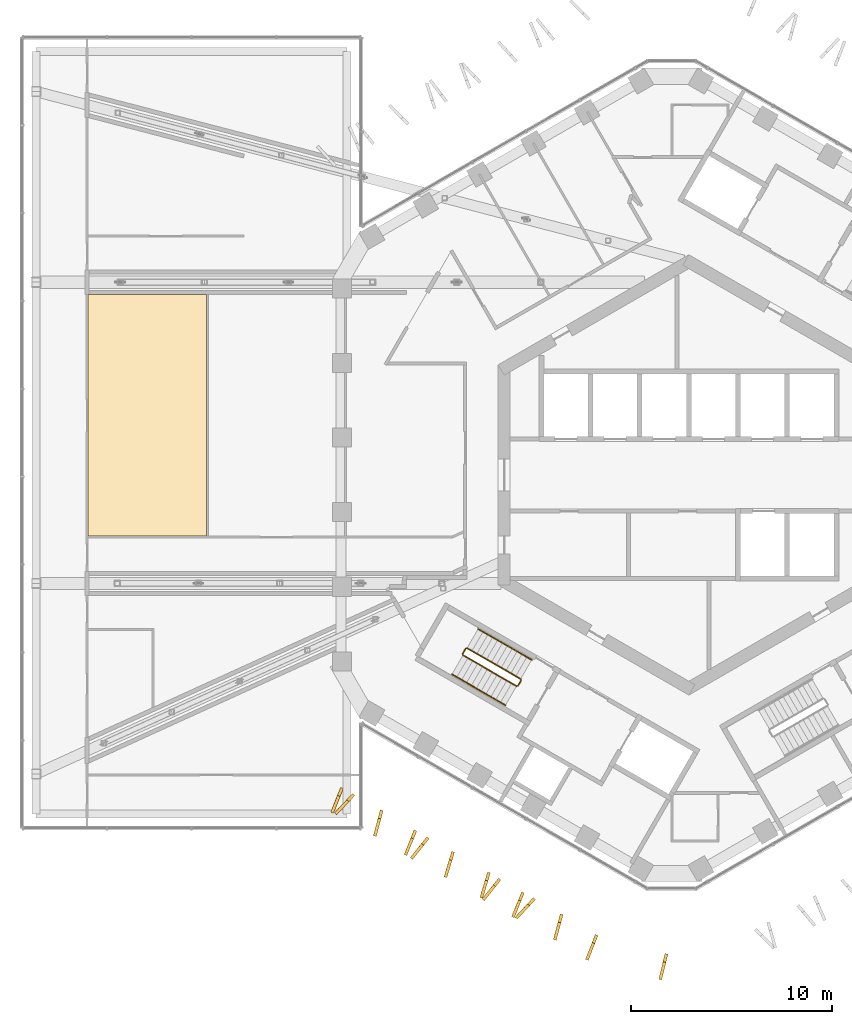
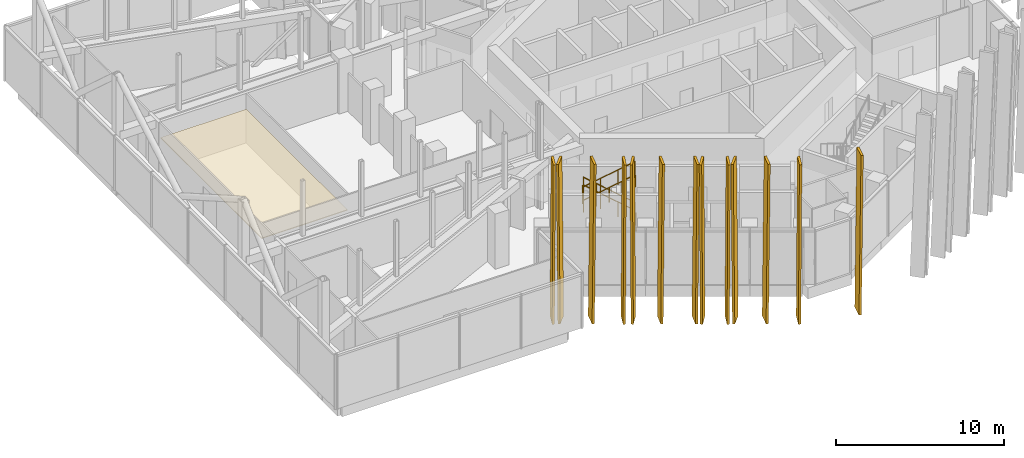
# One storey, part 25 of 28: 13 shading devices, 8 railings, 1 covering.
"""IFC4 building model written with IfcOpenShell, lengths in metres."""

from ifc_helpers import new_model, si_unit, direction, frame, origin, origin_2d, place, context, subcontext, project, spatial, polyline, circle, outline, extrude, material, layer, layer_set, type_object, element, save


model = new_model("IFC4")

# Units and contexts
model_context = context("Model", 3, precision=1e-05, world=origin(), true_north=direction((0.0, 1.0)))
body_context = subcontext(model_context, "Body", "Model", "MODEL_VIEW")
ifc_project = project(units=[si_unit("LENGTHUNIT", "METRE"), si_unit("AREAUNIT", "SQUARE_METRE"), si_unit("VOLUMEUNIT", "CUBIC_METRE"), si_unit("PLANEANGLEUNIT", "RADIAN"), si_unit("MASSUNIT", "GRAM", prefix="KILO")], contexts=[model_context])

# Site, building, storey
site_placement = place(None, origin())
site = spatial("IfcSite", under=ifc_project, at=site_placement, CompositionType="ELEMENT")
building_placement = place(site_placement, origin())
building = spatial("IfcBuilding", under=site, at=building_placement, Name="Ayvan Gate Tower", CompositionType="ELEMENT")
storey_placement = place(building_placement, frame((0.0, 0.0, 202.10009765625)))
storey = spatial("IfcBuildingStorey", under=building, at=storey_placement, Name="L54", CompositionType="ELEMENT", Elevation=202.10009765625)

# Shading devices
ifc_material_1 = material(Name="Bronze anodised aluminium", Category="aluminium")
ifc_layer_1 = layer(ifc_material_1, 0.14990234375)
ifc_layer_set_1 = layer_set([ifc_layer_1], Name="Bronze anodised aluminium")
shading_device_type = type_object("IfcShadingDeviceType", Name="Bronze fin 900 x 150", PredefinedType="USERDEFINED", material=ifc_layer_set_1)
shading_device_1_placement = place(storey_placement, frame((-17.355224609375, -15.56982421875, 0.0), z_axis=(-0.929399886571, 0.369074298214, 0.000115067544), x_axis=(-0.369074300658, -0.929399892723, -1.4505e-08)))
element("IfcShadingDevice", 1, at=shading_device_1_placement, inside=storey, type_object=shading_device_type, Name="Bronze fin FG20.1.1", ObjectType="FIN", PredefinedType="USERDEFINED", context=body_context, shape_type="SweptSolid", body=[
    extrude(outline(polyline([(0.0, 0.0), (0.900008338785415, 0.0), (1.3244467117905945, 11.87988291035919), (0.42452847903561364, 11.87988288425118), (0.0, 0.0)])), origin(), (0.0, 0.0, -1.0), 0.14990234375),
])
shading_device_2_placement = place(storey_placement, frame((-16.74951171875, -15.8671875, 0.0), z_axis=(-0.728080518436, 0.685491605845, 0.000130348624), x_axis=(-0.685491611668, -0.728080524621, 0.0)))
element("IfcShadingDevice", 2, at=shading_device_2_placement, inside=storey, type_object=shading_device_type, Name="Bronze fin FG20.1.2", ObjectType="FIN", PredefinedType="USERDEFINED", context=body_context, shape_type="SweptSolid", body=[
    extrude(outline(polyline([(0.0, 0.0), (0.9000013258712327, 6.776263578034403e-21), (1.3244009375213666, 11.879882913424144), (0.4243996116501338, 11.879882913424144), (0.0, 0.0)])), origin(), (0.0, 0.0, -1.0), 0.14990234375),
])
shading_device_3_placement = place(storey_placement, frame((-15.377685546875, -16.6923828125, 0.0), z_axis=(-0.965937147614, 0.258776759007, 0.000125927627), x_axis=(-0.258776761059, -0.965937155273, 0.0)))
element("IfcShadingDevice", 3, at=shading_device_3_placement, inside=storey, type_object=shading_device_type, Name="Bronze fin FG20.1.3", ObjectType="FIN", PredefinedType="USERDEFINED", context=body_context, shape_type="SweptSolid", body=[
    extrude(outline(polyline([(0.0, 0.0), (0.9000427831971298, 0.0), (1.3245147656002474, 11.879882906694212), (0.42447198240311745, 11.879882906694212), (0.0, 0.0)])), origin(), (0.0, 0.0, -1.0), 0.14990234375),
])
shading_device_4_placement = place(storey_placement, frame((-13.69482421875, -17.683837890625, 0.0), z_axis=(-0.926953543209, 0.375176104846, 0.000138147232), x_axis=(-0.375176108426, -0.926953552054, 0.0)))
element("IfcShadingDevice", 4, at=shading_device_4_placement, inside=storey, type_object=shading_device_type, Name="Bronze fin FG20.1.5", ObjectType="FIN", PredefinedType="USERDEFINED", context=body_context, shape_type="SweptSolid", body=[
    extrude(outline(polyline([(0.0, 0.0), (0.89996797981522, -6.776263578034403e-21), (1.3243983506792445, 11.879882925861748), (0.4244303708640246, 11.879882925861748), (0.0, 0.0)])), origin(), (0.0, 0.0, -1.0), 0.14990234375),
])
shading_device_5_placement = place(storey_placement, frame((-13.056640625, -18.026123046875, 0.0), z_axis=(-0.783060332035, 0.621945736528, 0.000131175773), x_axis=(-0.621945741879, -0.783060338772, 0.0)))
element("IfcShadingDevice", 5, at=shading_device_5_placement, inside=storey, type_object=shading_device_type, Name="Bronze fin FG20.1.6", ObjectType="FIN", PredefinedType="USERDEFINED", context=body_context, shape_type="SweptSolid", body=[
    extrude(outline(polyline([(0.0, 0.0), (0.9001017539465084, -6.776263578034403e-21), (1.3244403722781326, 11.879882914709068), (0.42433861833162423, 11.879882914709068), (0.0, 0.0)])), origin(), (0.0, 0.0, -1.0), 0.14990234375),
])
shading_device_6_placement = place(storey_placement, frame((-11.81884765625, -18.75390625, 0.0), z_axis=(-0.957317081545, 0.289039770583, 0.000128079055), x_axis=(-0.289039772951, -0.957317089397, 1.6631e-08)))
element("IfcShadingDevice", 6, at=shading_device_6_placement, inside=storey, type_object=shading_device_type, Name="Bronze fin FG20.1.7", ObjectType="FIN", PredefinedType="USERDEFINED", context=body_context, shape_type="SweptSolid", body=[
    extrude(outline(polyline([(0.0, 0.0), (0.8999510172549974, 0.0), (1.3244001987417762, 11.87988288791381), (0.42437861513596065, 11.87988291784962), (0.0, 0.0)])), origin(), (0.0, 0.0, -1.0), 0.14990234375),
])
shading_device_7_placement = place(storey_placement, frame((-10.032958984375, -19.784912109375, 0.0), z_axis=(-0.957279544793, 0.289164067653, 0.000122881277), x_axis=(-0.289164069837, -0.95727955202, 0.0)))
element("IfcShadingDevice", 7, at=shading_device_7_placement, inside=storey, type_object=shading_device_type, Name="Bronze fin FG20.1.9", ObjectType="FIN", PredefinedType="USERDEFINED", context=body_context, shape_type="SweptSolid", body=[
    extrude(outline(polyline([(0.0, 0.0), (0.9000215911924444, 6.776263578034403e-21), (1.3244703891353258, 11.87988290219198), (0.4244487979428815, 11.87988290219198), (0.0, 0.0)])), origin(), (0.0, 0.0, -1.0), 0.14990234375),
])
shading_device_8_placement = place(storey_placement, frame((-9.485107421875, -20.088134765625, 0.0), z_axis=(-0.783060332035, 0.621945736528, 0.000131175773), x_axis=(-0.621945741879, -0.783060338772, 0.0)))
element("IfcShadingDevice", 8, at=shading_device_8_placement, inside=storey, type_object=shading_device_type, Name="Bronze fin FG20.1.10", ObjectType="FIN", PredefinedType="USERDEFINED", context=body_context, shape_type="SweptSolid", body=[
    extrude(outline(polyline([(0.0, 0.0), (0.9001017539465084, -6.776263578034403e-21), (1.3244403722781326, 11.879882914709068), (0.42433861833162423, 11.879882914709068), (0.0, 0.0)])), origin(), (0.0, 0.0, -1.0), 0.14990234375),
])
shading_device_9_placement = place(storey_placement, frame((-8.337646484375, -20.77685546875, 0.0), z_axis=(-0.926953543209, 0.375176104846, 0.000138147232), x_axis=(-0.375176108426, -0.926953552054, 0.0)))
element("IfcShadingDevice", 9, at=shading_device_9_placement, inside=storey, type_object=shading_device_type, Name="Bronze fin FG20.1.11", ObjectType="FIN", PredefinedType="USERDEFINED", context=body_context, shape_type="SweptSolid", body=[
    extrude(outline(polyline([(0.0, 0.0), (0.89996797981522, -6.776263578034403e-21), (1.3243983506792445, 11.879882925861748), (0.4244303708640246, 11.879882925861748), (0.0, 0.0)])), origin(), (0.0, 0.0, -1.0), 0.14990234375),
])
shading_device_10_placement = place(storey_placement, frame((-7.7587890625, -21.060546875, 0.0), z_axis=(-0.732667876011, 0.68058633873, 0.000137825379), x_axis=(-0.680586345194, -0.732667882969, 0.0)))
element("IfcShadingDevice", 10, at=shading_device_10_placement, inside=storey, type_object=shading_device_type, Name="Bronze fin FG20.1.12", ObjectType="FIN", PredefinedType="USERDEFINED", context=body_context, shape_type="SweptSolid", body=[
    extrude(outline(polyline([(0.0, 0.0), (0.9000310283186577, 0.0), (1.324367031510541, 11.87988292533415), (0.42433600319188325, 11.87988292533415), (0.0, 0.0)])), origin(), (0.0, 0.0, -1.0), 0.14990234375),
])
shading_device_11_placement = place(storey_placement, frame((-6.410888671875, -21.869384765625, 0.0), z_axis=(-0.965937147614, 0.258776759007, 0.000125927627), x_axis=(-0.258776761059, -0.965937155273, 0.0)))
element("IfcShadingDevice", 11, at=shading_device_11_placement, inside=storey, type_object=shading_device_type, Name="Bronze fin FG20.1.13", ObjectType="FIN", PredefinedType="USERDEFINED", context=body_context, shape_type="SweptSolid", body=[
    extrude(outline(polyline([(0.0, 0.0), (0.9000427831971298, 0.0), (1.3245147656002474, 11.879882906694212), (0.42447198240311745, 11.879882906694212), (0.0, 0.0)])), origin(), (0.0, 0.0, -1.0), 0.14990234375),
])
shading_device_12_placement = place(storey_placement, frame((-4.664794921875, -22.89697265625, 0.0), z_axis=(-0.929353354166, 0.369191452136, 0.000121534009), x_axis=(-0.369191454863, -0.929353361029, 0.0)))
element("IfcShadingDevice", 12, at=shading_device_12_placement, inside=storey, type_object=shading_device_type, Name="Bronze fin FG20.1.15", ObjectType="FIN", PredefinedType="USERDEFINED", context=body_context, shape_type="SweptSolid", body=[
    extrude(outline(polyline([(0.0, 0.0), (0.9000083459361192, 0.0), (1.324219808357255, 11.879882900235996), (0.4242114624211358, 11.879882900235996), (0.0, 0.0)])), origin(), (0.0, 0.0, -1.0), 0.14990234375),
])
shading_device_13_placement = place(storey_placement, frame((-1.18896484375, -23.841064453125, 0.0), z_axis=(-0.97181809267, 0.23573200908, 0.000121053266), x_axis=(-0.235732010808, -0.97181809979, -3.871e-09)))
element("IfcShadingDevice", 13, at=shading_device_13_placement, inside=storey, type_object=shading_device_type, Name="Bronze fin FG20.2.16", ObjectType="FIN", PredefinedType="USERDEFINED", context=body_context, shape_type="SweptSolid", body=[
    extrude(outline(polyline([(0.0, 0.0), (0.899878796592217, 3.3881317890172014e-21), (1.3243367923808407, 11.879882904669751), (0.42422073551035455, 11.879882897702004), (0.0, 0.0)])), origin(), (0.0, 0.0, -1.0), 0.14990234375),
])

# Covering
ifc_material_2 = material(Name="Plasterboard suspended ceiling")
ifc_layer_2 = layer(ifc_material_2, 0.050048828125)
ifc_layer_set_2 = layer_set([ifc_layer_2], Name="Plasterboard suspended ceiling")
covering_type = type_object("IfcCoveringType", Name="CT-SUSP-50", PredefinedType="CEILING", material=ifc_layer_set_2)
covering_placement = place(storey_placement, frame((0.0, 0.0, 2.39990234375)))
element("IfcCovering", 14, at=covering_placement, inside=storey, type_object=covering_type, Name="Ceiling Social Lounge L54", PredefinedType="CEILING", context=body_context, shape_type="SweptSolid", body=[
    extrude(outline(polyline([(-29.92431640625, 9.0), (-24.03955078125, 9.0), (-24.03955078125, -3.050048828125), (-29.92431640625, -3.050048828125), (-29.92431640625, 9.0)])), origin(), (0.0, 0.0, 1.0), 0.050048828125),
])

# Railings
ifc_material_3 = material(Name="Stainless steel balustrade", Category="steel")
railing_type_1 = type_object("IfcRailingType", Name="RL-GUARD-1100", PredefinedType="GUARDRAIL", material=ifc_material_3)
railing_1_placement = place(storey_placement, frame((-8.381103515625, -10.16650390625, 0.16650390625)))
element("IfcRailing", 15, at=railing_1_placement, inside=storey, type_object=railing_type_1, Name="L54 STS2 stair guard 1", PredefinedType="GUARDRAIL", context=body_context, shape_type="SweptSolid", body=[
    extrude(circle(Radius=0.02392578125, at=origin_2d()), frame((0.0, 0.0, 1.076171875), z_axis=(-0.7441639146, 0.429634447492, 0.511502013422), x_axis=(-0.499992328818, -0.866029832698, 0.0)), (0.0, 0.0, 1.0), 3.58447265625),
    extrude(circle(Radius=0.02099609375, at=origin_2d()), origin(), (0.0, 0.0, 1.0), 1.052001953125),
    extrude(circle(Radius=0.02099609375, at=origin_2d()), frame((-0.88916015625, 0.513427734375, 0.611083984375)), (0.0, 0.0, 1.0), 1.052001953125),
    extrude(circle(Radius=0.02099609375, at=origin_2d()), frame((-1.7783203125, 1.026611328125, 1.222412109375)), (0.0, 0.0, 1.0), 1.052001953125),
    extrude(circle(Radius=0.02099609375, at=origin_2d()), frame((-2.66748046875, 1.5400390625, 1.83349609375)), (0.0, 0.0, 1.0), 1.052001953125),
])
railing_2_placement = place(storey_placement, frame((-11.11669921875, -8.644775390625, 2.0)))
element("IfcRailing", 16, at=railing_2_placement, inside=storey, type_object=railing_type_1, Name="L54 STS2 stair guard 2", PredefinedType="GUARDRAIL", context=body_context, shape_type="SweptSolid", body=[
    extrude(circle(Radius=0.02392578125, at=origin_2d()), frame((0.0, 0.0, 1.076171875), z_axis=(-0.499949632511, -0.866054481515, 0.0), x_axis=(0.866054481515, -0.499949632511, 0.0)), (0.0, 0.0, 1.0), 0.31005859375),
    extrude(circle(Radius=0.02099609375, at=origin_2d()), origin(), (0.0, 0.0, 1.0), 1.052001953125),
    extrude(circle(Radius=0.02099609375, at=origin_2d()), frame((-0.155029296875, -0.2685546875, 0.0)), (0.0, 0.0, 1.0), 1.052001953125),
])
railing_3_placement = place(storey_placement, frame((-11.25341796875, -8.981689453125, 2.16650390625)))
element("IfcRailing", 17, at=railing_3_placement, inside=storey, type_object=railing_type_1, Name="L54 STS2 stair guard 3", PredefinedType="GUARDRAIL", context=body_context, shape_type="SweptSolid", body=[
    extrude(circle(Radius=0.02392578125, at=origin_2d()), frame((0.0, 0.0, 1.076171875), z_axis=(0.744155296881, -0.429600682602, 0.511542908886), x_axis=(0.499967199496, 0.866044340336, 0.0)), (0.0, 0.0, 1.0), 3.584228515625),
    extrude(circle(Radius=0.02099609375, at=origin_2d()), origin(), (0.0, 0.0, 1.0), 1.052001953125),
    extrude(circle(Radius=0.02099609375, at=origin_2d()), frame((0.88916015625, -0.51318359375, 0.611083984375)), (0.0, 0.0, 1.0), 1.052001953125),
    extrude(circle(Radius=0.02099609375, at=origin_2d()), frame((1.778076171875, -1.026611328125, 1.222412109375)), (0.0, 0.0, 1.0), 1.052001953125),
    extrude(circle(Radius=0.02099609375, at=origin_2d()), frame((2.667236328125, -1.539794921875, 1.83349609375)), (0.0, 0.0, 1.0), 1.052001953125),
])
railing_4_placement = place(storey_placement, frame((-8.36279296875, -10.23486328125, 0.0)))
element("IfcRailing", 18, at=railing_4_placement, inside=storey, type_object=railing_type_1, Name="L54 STS2 stair guard 4", PredefinedType="GUARDRAIL", context=body_context, shape_type="SweptSolid", body=[
    extrude(circle(Radius=0.02392578125, at=origin_2d()), frame((0.0, 0.0, 1.076171875), z_axis=(-0.500290723946, -0.86585748916, 0.0), x_axis=(0.86585748916, -0.500290723946, 0.0)), (0.0, 0.0, 1.0), 0.309814453125),
    extrude(circle(Radius=0.02099609375, at=origin_2d()), origin(), (0.0, 0.0, 1.0), 1.052001953125),
    extrude(circle(Radius=0.02099609375, at=origin_2d()), frame((-0.155029296875, -0.268310546875, 0.0)), (0.0, 0.0, 1.0), 1.052001953125),
])
railing_type_2 = type_object("IfcRailingType", Name="RL-HANDRAIL-900", PredefinedType="HANDRAIL", material=ifc_material_3)
for number, where, name in (
    (19, (-7.8310546875, -9.2138671875, 0.16650390625), "L54 STS2 stair handrail 1"),
    (20, (-9.164794921875, -8.44384765625, 1.083251953125), "L54 STS2 stair handrail 2"),
):
    element("IfcRailing", number, at=place(storey_placement, frame(where)), inside=storey, type_object=railing_type_2, Name=name, PredefinedType="HANDRAIL", context=body_context, shape_type="SweptSolid", body=[
        extrude(circle(Radius=0.02392578125, at=origin_2d()), frame((0.0, 0.0, 0.8759765625), z_axis=(-0.7441639146, 0.429634447492, 0.511502013422), x_axis=(-0.499992328818, -0.866029832698, 0.0)), (0.0, 0.0, 1.0), 1.792236328125),
        extrude(circle(Radius=0.02099609375, at=origin_2d()), origin(), (0.0, 0.0, 1.0), 0.851806640625),
        extrude(circle(Radius=0.02099609375, at=origin_2d()), frame((-0.6669921875, 0.385009765625, 0.45849609375)), (0.0, 0.0, 1.0), 0.851806640625),
        extrude(circle(Radius=0.02099609375, at=origin_2d()), frame((-1.333740234375, 0.77001953125, 0.916748046875)), (0.0, 0.0, 1.0), 0.851806640625),
    ])
for number, where, name in (
    (21, (-11.803466796875, -9.93408203125, 2.16650390625), "L54 STS2 stair handrail 3"),
    (22, (-10.4697265625, -10.7041015625, 3.083251953125), "L54 STS2 stair handrail 4"),
):
    element("IfcRailing", number, at=place(storey_placement, frame(where)), inside=storey, type_object=railing_type_2, Name=name, PredefinedType="HANDRAIL", context=body_context, shape_type="SweptSolid", body=[
        extrude(circle(Radius=0.02392578125, at=origin_2d()), frame((0.0, 0.0, 0.8759765625), z_axis=(0.7441639146, -0.429634447492, 0.511502013422), x_axis=(0.499992328818, 0.866029832698, 0.0)), (0.0, 0.0, 1.0), 1.792236328125),
        extrude(circle(Radius=0.02099609375, at=origin_2d()), origin(), (0.0, 0.0, 1.0), 0.851806640625),
        extrude(circle(Radius=0.02099609375, at=origin_2d()), frame((0.6669921875, -0.385009765625, 0.45849609375)), (0.0, 0.0, 1.0), 0.851806640625),
        extrude(circle(Radius=0.02099609375, at=origin_2d()), frame((1.333740234375, -0.77001953125, 0.916748046875)), (0.0, 0.0, 1.0), 0.851806640625),
    ])

save(model, "model.ifc")
